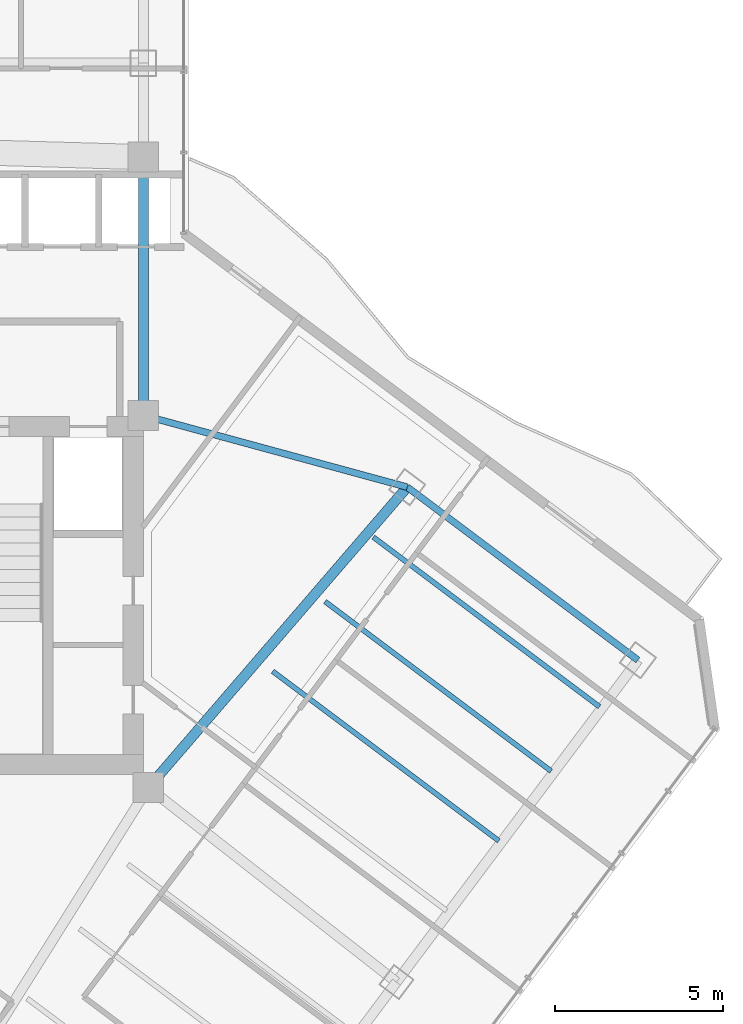
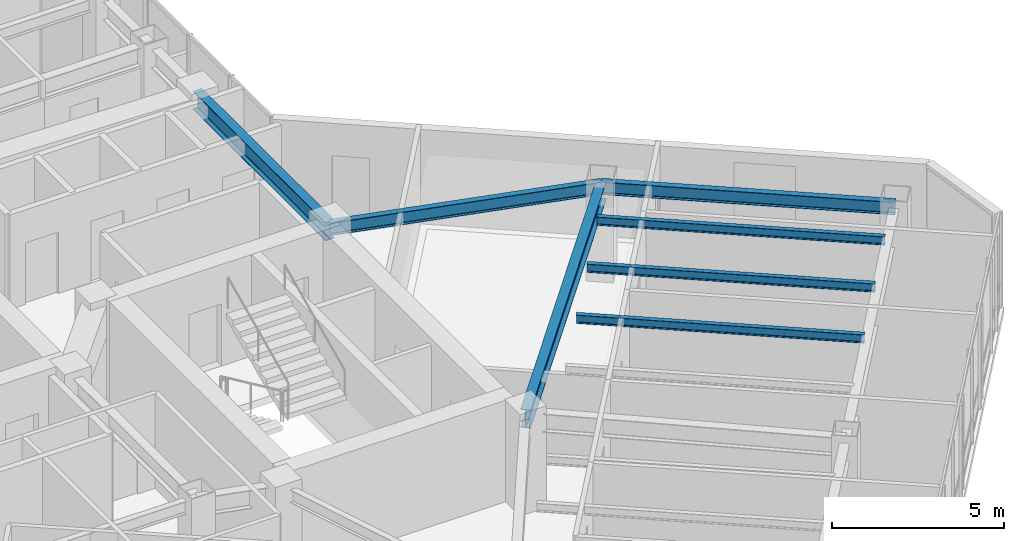
# One storey, part 14 of 27: 7 beams.
"""IFC4 building model written with IfcOpenShell, lengths in metres."""

from ifc_helpers import new_model, si_unit, direction, frame, origin, origin_2d, place, context, subcontext, project, spatial, i_section, extrude, material, material_profile, profile_set, type_object, element, save


model = new_model("IFC4")

# Units and contexts
model_context = context("Model", 3, precision=1e-05, world=origin(), true_north=direction((0.0, 1.0)))
body_context = subcontext(model_context, "Body", "Model", "MODEL_VIEW")
ifc_project = project(units=[si_unit("LENGTHUNIT", "METRE"), si_unit("AREAUNIT", "SQUARE_METRE"), si_unit("VOLUMEUNIT", "CUBIC_METRE"), si_unit("PLANEANGLEUNIT", "RADIAN"), si_unit("MASSUNIT", "GRAM", prefix="KILO")], contexts=[model_context])

# Site, building, storey
site_placement = place(None, origin())
site = spatial("IfcSite", under=ifc_project, at=site_placement, CompositionType="ELEMENT")
building_placement = place(site_placement, origin())
building = spatial("IfcBuilding", under=site, at=building_placement, Name="Hatsunagi Terrace Concourse", CompositionType="ELEMENT")
storey_placement = place(building_placement, frame((0.0, 0.0, 167.25)))
storey = spatial("IfcBuildingStorey", under=building, at=storey_placement, Name="L44", CompositionType="ELEMENT", Elevation=167.25)

# Beams
ifc_material_1 = material(Name="Steel SN490B", Category="steel")
ifc_material_profile_1 = material_profile(ifc_material_1, i_section(OverallWidth=0.14990234375, OverallDepth=0.300048828125, WebThickness=0.006591796875, FlangeThickness=0.009033203125, FilletRadius=0.010986328125, at=origin_2d()), Name="H-300x150x6.5x9")
ifc_profile_set_1 = profile_set([ifc_material_profile_1], Name="Steel SN490B")
beam_type_1 = type_object("IfcBeamType", Name="OfficeJoist_H_300x150", PredefinedType="JOIST", material=ifc_profile_set_1)
for number, where, z_axis, x_axis, name in (
    (1, (47.508056640625, 27.6689453125, 3.199951171875), (0.800003475366, -0.59999536615, 0.0), (0.59999536615, 0.800003475366, 0.0), "Beam J-03 J-L44-SE-2-168"),
    (2, (49.068115234375, 29.7490234375, 3.199951171875), (0.799989573921, -0.600013901187, 0.0), (0.600013901187, 0.799989573921, 0.0), "Beam J-03 J-L44-SE-2-194"),
    (3, (50.508056640625, 31.6689453125, 3.199951171875), (0.800003475366, -0.59999536615, 0.0), (0.59999536615, 0.800003475366, 0.0), "Beam J-03 J-L44-SE-2-218"),
):
    element("IfcBeam", number, at=place(storey_placement, frame(where, z_axis=z_axis, x_axis=x_axis)), inside=storey, type_object=beam_type_1, Name=name, PredefinedType="JOIST", context=body_context, shape_type="SweptSolid", body=[
        extrude(i_section(OverallWidth=0.14990234375, OverallDepth=0.300048828125, WebThickness=0.006591796875, FlangeThickness=0.009033203125, FilletRadius=0.010986328125, at=origin_2d()), origin(), (0.0, 0.0, 1.0), 8.429931640625),
    ])
ifc_material_2 = material(Name="Steel SN490B", Category="steel")
ifc_material_profile_2 = material_profile(ifc_material_2, i_section(OverallWidth=0.300048828125, OverallDepth=0.64990234375, WebThickness=0.012939453125, FlangeThickness=0.02197265625, FilletRadius=0.01806640625, at=origin_2d()), Name="H-650x300x13x22")
ifc_profile_set_2 = profile_set([ifc_material_profile_2], Name="Steel SN490B")
beam_type_2 = type_object("IfcBeamType", Name="OfficeLowGirder_H_650x300", PredefinedType="BEAM", material=ifc_profile_set_2)
beam_1_placement = place(storey_placement, frame((43.64990234375, 35.300048828125, 3.02490234375), z_axis=(0.0, 1.0, 0.0), x_axis=(-1.0, 0.0, 0.0)))
element("IfcBeam", 4, at=beam_1_placement, inside=storey, type_object=beam_type_2, Name="Beam G-05 BM-L44-CBK3", PredefinedType="BEAM", context=body_context, shape_type="SweptSolid", body=[
    extrude(i_section(OverallWidth=0.300048828125, OverallDepth=0.64990234375, WebThickness=0.012939453125, FlangeThickness=0.02197265625, FilletRadius=0.01806640625, at=origin_2d()), origin(), (0.0, 0.0, 1.0), 7.699951171875),
])
beam_2_placement = place(storey_placement, frame((43.800048828125, 24.199951171875, 3.02490234375), z_axis=(0.652739101421, 0.757582777969, 0.0), x_axis=(-0.757582777969, 0.652739101421, 0.0)))
element("IfcBeam", 5, at=beam_2_placement, inside=storey, type_object=beam_type_2, Name="Beam G-05 BM-L44-SET-1B", PredefinedType="BEAM", context=body_context, shape_type="SweptSolid", body=[
    extrude(i_section(OverallWidth=0.300048828125, OverallDepth=0.64990234375, WebThickness=0.012939453125, FlangeThickness=0.02197265625, FilletRadius=0.01806640625, at=origin_2d()), origin(), (0.0, 0.0, 1.0), 11.8271484375),
])
ifc_material_3 = material(Name="Steel SN490B", Category="steel")
ifc_material_profile_3 = material_profile(ifc_material_3, i_section(OverallWidth=0.199951171875, OverallDepth=0.449951171875, WebThickness=0.009033203125, FlangeThickness=0.013916015625, FilletRadius=0.01611328125, at=origin_2d()), Name="H-450x200x9x14")
ifc_profile_set_3 = profile_set([ifc_material_profile_3], Name="Steel SN490B")
beam_type_3 = type_object("IfcBeamType", Name="PerimeterSpandrel_H_450x200", PredefinedType="SPANDREL", material=ifc_profile_set_3)
beam_3_placement = place(storey_placement, frame((43.64990234375, 35.300048828125, 3.125), z_axis=(0.964958359286, -0.262403057994, 0.0), x_axis=(0.262403057994, 0.964958359286, 0.0)))
element("IfcBeam", 6, at=beam_3_placement, inside=storey, type_object=beam_type_3, Name="Beam SP-02 BM-L44-SE-NE0", PredefinedType="SPANDREL", context=body_context, shape_type="SweptSolid", body=[
    extrude(i_section(OverallWidth=0.199951171875, OverallDepth=0.449951171875, WebThickness=0.009033203125, FlangeThickness=0.013916015625, FilletRadius=0.01611328125, at=origin_2d()), origin(), (0.0, 0.0, 1.0), 8.156005859375),
])
beam_4_placement = place(storey_placement, frame((51.52001953125, 33.159912109375, 3.125), z_axis=(0.8, -0.6, 0.0), x_axis=(0.6, 0.8, 0.0)))
element("IfcBeam", 7, at=beam_4_placement, inside=storey, type_object=beam_type_3, Name="Beam SP-02 BM-L44-SE-NE2", PredefinedType="SPANDREL", context=body_context, shape_type="SweptSolid", body=[
    extrude(i_section(OverallWidth=0.199951171875, OverallDepth=0.449951171875, WebThickness=0.009033203125, FlangeThickness=0.013916015625, FilletRadius=0.01611328125, at=origin_2d()), origin(), (0.0, 0.0, 1.0), 8.599853515625),
])

save(model, "model.ifc")
